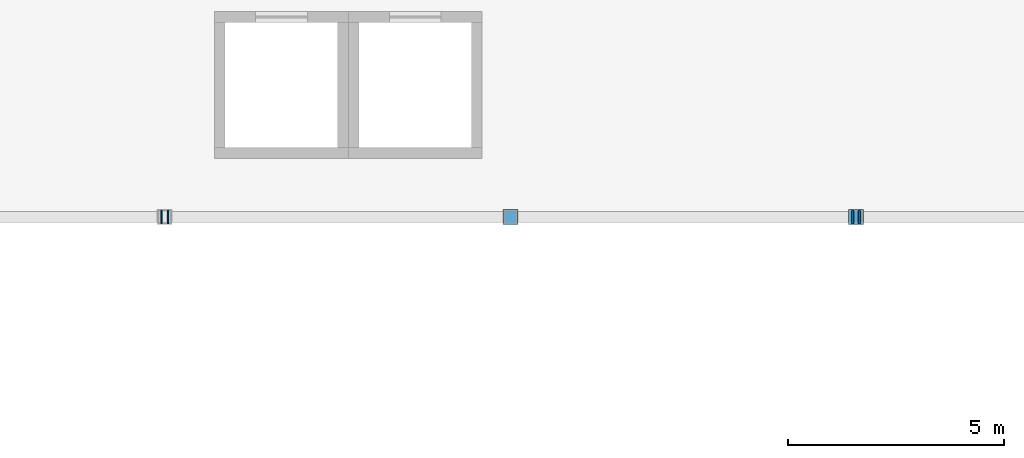
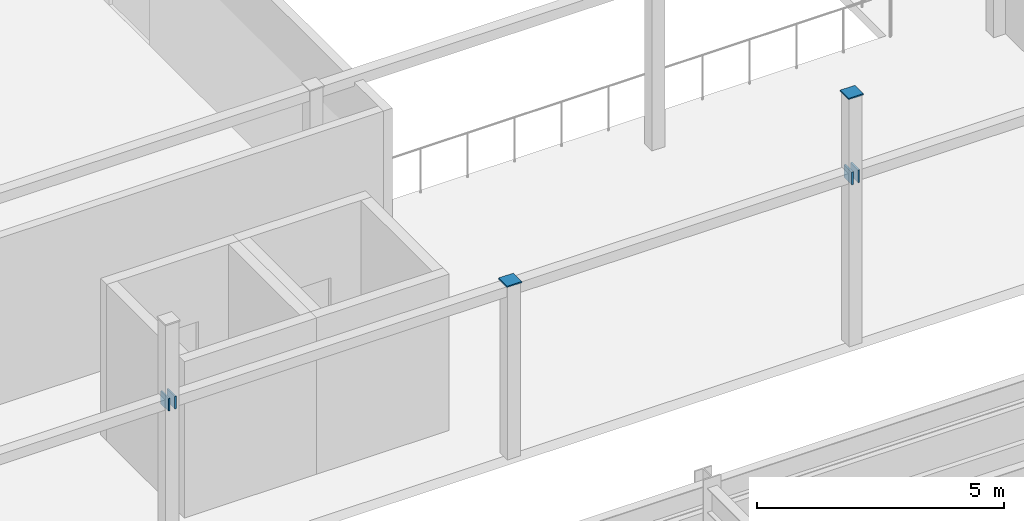
# One storey, part 60 of 83: 6 discrete accessories.
"""IFC4 building model written with IfcOpenShell, lengths in metres."""

from ifc_helpers import new_model, si_unit, direction, frame, origin, origin_2d, place, context, subcontext, project, spatial, rectangle, extrude, material, type_object, element, save


model = new_model("IFC4")

# Units and contexts
model_context = context("Model", 3, precision=1e-05, world=origin(), true_north=direction((0.0, 1.0)))
body_context = subcontext(model_context, "Body", "Model", "MODEL_VIEW")
ifc_project = project(units=[si_unit("LENGTHUNIT", "METRE"), si_unit("AREAUNIT", "SQUARE_METRE"), si_unit("VOLUMEUNIT", "CUBIC_METRE"), si_unit("PLANEANGLEUNIT", "RADIAN"), si_unit("MASSUNIT", "GRAM", prefix="KILO")], contexts=[model_context])

# Site, building, storey
site_placement = place(None, origin())
site = spatial("IfcSite", under=ifc_project, at=site_placement, CompositionType="ELEMENT")
building_placement = place(site_placement, origin())
building = spatial("IfcBuilding", under=site, at=building_placement, Name="Drelvath Fold Interchange", CompositionType="ELEMENT")
storey_placement = place(building_placement, frame((0.0, 0.0, 11.199951171875)))
storey = spatial("IfcBuildingStorey", under=building, at=storey_placement, Name="L02", CompositionType="ELEMENT", Elevation=11.199951171875)

# Discrete accessories
ifc_material = material(Name="Steel ASTM A572 Grade 50", Category="steel")
discrete_accessory_type = type_object("IfcDiscreteAccessoryType", Name="AC-CAP380", PredefinedType="BRACKET", material=ifc_material)
for number, where, z_axis, x_axis, name in (
    (1, (20.0, 59.0, 4.2900390625), (0.0, 0.0, 1.0), (1.0, 0.0, 0.0), "Welded hollow column end cap 45"),
    (2, (28.0, 59.0, 6.14013671875), (0.0, 0.0, 1.0), (1.0, 0.0, 0.0), "Welded hollow column end cap 50"),
):
    element("IfcDiscreteAccessory", number, at=place(storey_placement, frame(where, z_axis=z_axis, x_axis=x_axis)), inside=storey, type_object=discrete_accessory_type, Name=name, PredefinedType="BRACKET", context=body_context, shape_type="SweptSolid", body=[
        extrude(rectangle(XDim=0.344970703125, YDim=0.344970703125, at=origin_2d()), origin(), (0.0, 0.0, 1.0), 0.030029296875),
    ])
for number, where, z_axis, x_axis, name in (
    (3, (11.925048828125, 59.0, 3.9931640625), (0.0, 0.0, 1.0), (1.0, 0.0, 0.0), "Welded hollow member end cap 289"),
    (4, (12.074951171875, 59.0, 3.9931640625), (0.0, 0.0, 1.0), (1.0, 0.0, 0.0), "Welded hollow member end cap 314"),
    (5, (27.925048828125, 59.0, 3.9931640625), (0.0, 0.0, 1.0), (1.0, 0.0, 0.0), "Welded hollow member end cap 334"),
    (6, (28.074951171875, 59.0, 3.9931640625), (0.0, 0.0, 1.0), (1.0, 0.0, 0.0), "Welded hollow member end cap 359"),
):
    element("IfcDiscreteAccessory", number, at=place(storey_placement, frame(where, z_axis=z_axis, x_axis=x_axis)), inside=storey, type_object=discrete_accessory_type, Name=name, PredefinedType="BRACKET", context=body_context, shape_type="SweptSolid", body=[
        extrude(rectangle(XDim=0.0400390625, YDim=0.31396484375, at=origin_2d()), origin(), (0.0, 0.0, 1.0), 0.31396484375),
    ])

save(model, "model.ifc")
